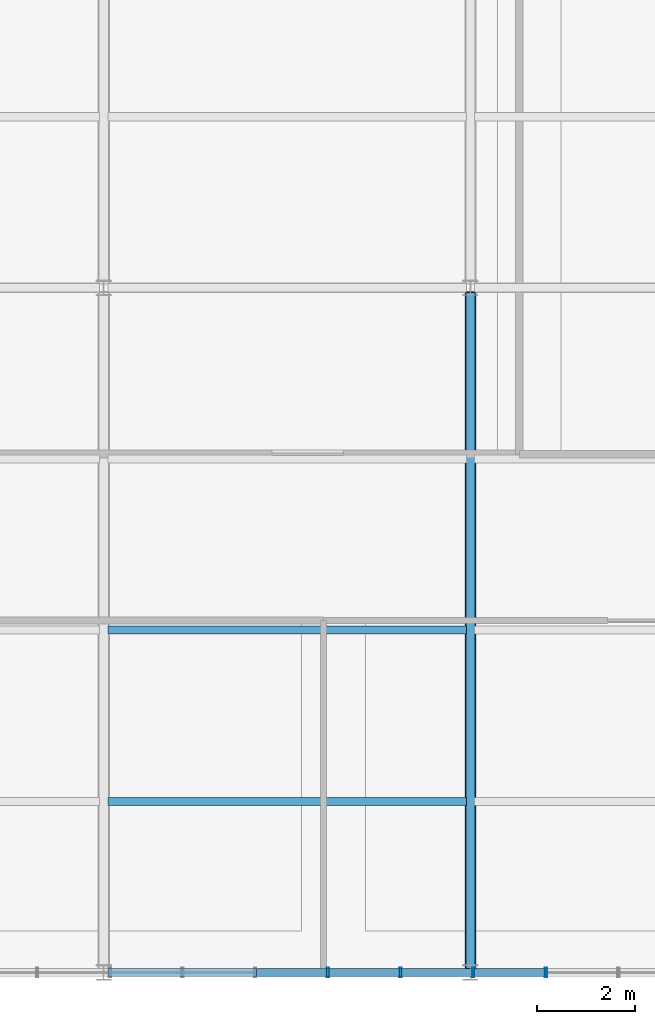
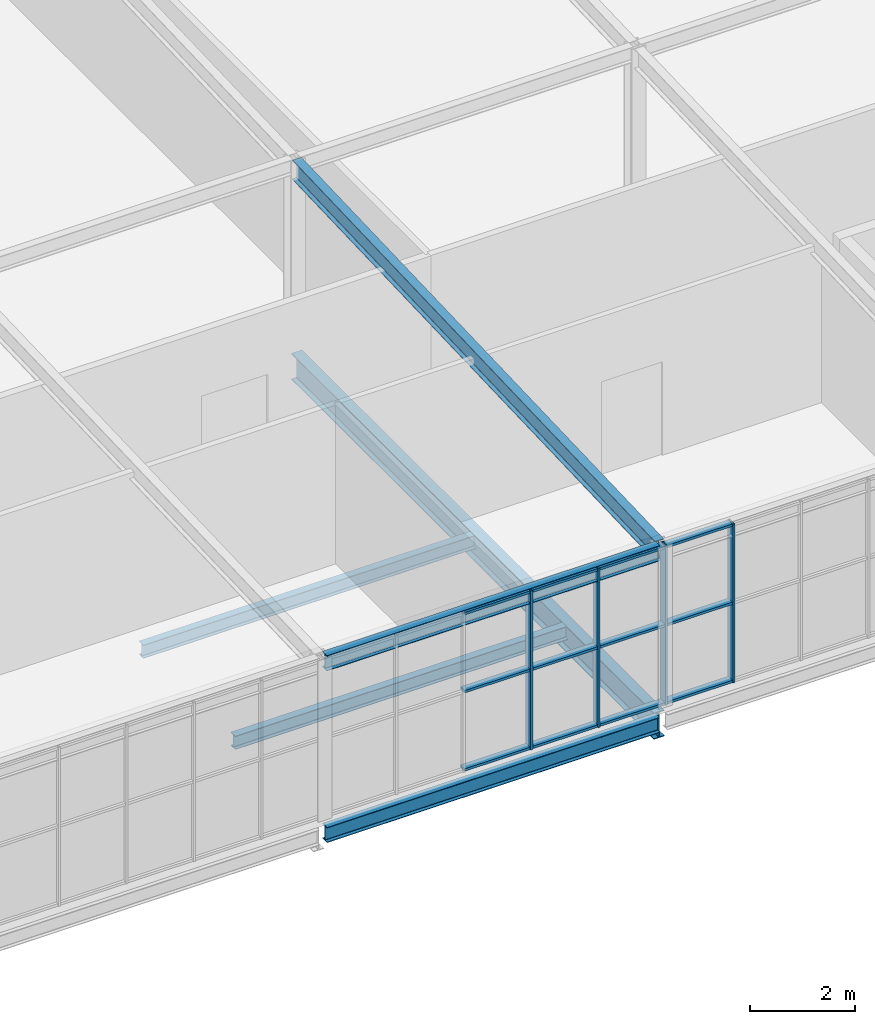
# One storey, part 7 of 27: 16 members, 6 beams, 1 element without a shape of its own.
"""IFC4 building model written with IfcOpenShell, lengths in metres."""

import ifcopenshell
import ifcopenshell.guid

model = None  # the IFC model being written
_history = None  # IfcOwnerHistory: only IFC2X3 demands one
_inside = {}  # id of a spatial element -> (the spatial element, [elements in it])
_under = {}  # id of a project, library or spatial element -> (it, [spatial elements below it])
_declared = {}  # id of a project -> (the project, [libraries it declares])
_typed = {}  # id of a type object -> (the type object, [elements of that type])
_made_of = {}  # id of a material, layer set ... -> (it, [elements and type objects made of it])


def new_model(schema):
    """Start an empty IFC model of exactly this schema.

    Asked for "IFC4X3", IfcOpenShell would pick the latest addendum, in which some entities
    have other attributes; the version numbers below select the first issue.
    IFC2X3 requires an IfcOwnerHistory on every rooted entity: one is made here for all.
    """
    global model, _history
    if schema == "IFC4X3":
        model = ifcopenshell.file(schema_version=(4, 3, 0, 0))
    else:
        model = ifcopenshell.file(schema=schema)
    _inside.clear()
    _under.clear()
    _declared.clear()
    _typed.clear()
    _made_of.clear()
    _history = None
    if model.schema == "IFC2X3":
        org = make("IfcOrganization", Name="unknown")
        user = make(
            "IfcPersonAndOrganization",
            ThePerson=make("IfcPerson", FamilyName="unknown"),
            TheOrganization=org,
        )
        app = make(
            "IfcApplication",
            ApplicationDeveloper=org,
            Version="unknown",
            ApplicationFullName="unknown",
            ApplicationIdentifier="unknown",
        )
        _history = make(
            "IfcOwnerHistory",
            OwningUser=user,
            OwningApplication=app,
            ChangeAction="ADDED",
            CreationDate=0,
        )
    return model


def make(cls, **values):
    """One entity of the class cls with the attributes given. An attribute that is None is left unset."""
    return model.create_entity(
        cls, **{name: value for name, value in values.items() if value is not None}
    )


def rooted(cls, **values):
    """An entity with a GlobalId (a new one), such as an element, a storey or a relation."""
    return make(cls, GlobalId=ifcopenshell.guid.new(), OwnerHistory=_history, **values)


def si_unit(unit_type, name, prefix=None):
    """IfcSIUnit, for example si_unit("LENGTHUNIT", "METRE", prefix="MILLI")."""
    return make("IfcSIUnit", UnitType=unit_type, Prefix=prefix, Name=name)


def assignment(units):
    """IfcUnitAssignment: the units of a project."""
    return None if units is None else make("IfcUnitAssignment", Units=units)


def point(xyz):
    """IfcCartesianPoint."""
    return None if xyz is None else make("IfcCartesianPoint", Coordinates=xyz)


def direction(xyz):
    """IfcDirection."""
    return None if xyz is None else make("IfcDirection", DirectionRatios=xyz)


def frame(location, z_axis=None, x_axis=None):
    """IfcAxis2Placement3D, a coordinate frame: its origin and axes. An axis left out is left unset."""
    return make(
        "IfcAxis2Placement3D",
        Location=point(location),
        Axis=direction(z_axis),
        RefDirection=direction(x_axis),
    )


def frame_2d(location, x_axis=None):
    """IfcAxis2Placement2D, a coordinate frame in the plane: its origin and x axis."""
    return make(
        "IfcAxis2Placement2D", Location=point(location), RefDirection=direction(x_axis)
    )


def origin():
    """The frame at (0, 0, 0) with its axes left unset."""
    return frame((0.0, 0.0, 0.0))


def origin_2d():
    """The frame at (0, 0) in the plane with its x axis left unset."""
    return frame_2d((0.0, 0.0))


def place(relative_to, where):
    """IfcLocalPlacement: puts the frame where relative to a parent placement (None: the world)."""
    return make(
        "IfcLocalPlacement", PlacementRelTo=relative_to, RelativePlacement=where
    )


def context(
    kind, dimensions, precision=None, world=None, true_north=None, identifier=None
):
    """IfcGeometricRepresentationContext, for example the 3D "Model" context."""
    return make(
        "IfcGeometricRepresentationContext",
        ContextIdentifier=identifier,
        ContextType=kind,
        CoordinateSpaceDimension=dimensions,
        Precision=precision,
        WorldCoordinateSystem=world,
        TrueNorth=true_north,
    )


def subcontext(parent, identifier, kind, view, scale=None):
    """IfcGeometricRepresentationSubContext, for example "Body" below "Model"."""
    return make(
        "IfcGeometricRepresentationSubContext",
        ContextIdentifier=identifier,
        ContextType=kind,
        ParentContext=parent,
        TargetScale=scale,
        TargetView=view,
    )


def project(units=None, contexts=None):
    """IfcProject with its units and contexts."""
    return rooted(
        "IfcProject",
        Name="project",
        RepresentationContexts=contexts,
        UnitsInContext=assignment(units),
    )


def spatial(cls, under=None, at=None, **own):
    """A site, building, storey or space (cls), placed at a placement, below another one or the project."""
    s = rooted(cls, ObjectPlacement=at, **own)
    if under is not None:
        _under.setdefault(under.id(), (under, []))[1].append(s)
    return s


def profile(cls, at=None, kind="AREA", **sizes):
    """A parametric profile (cls). Its sizes go by their IFC names, for example OverallWidth=200.0."""
    return make(cls, ProfileType=kind, Position=at, **sizes)


def hollow_rectangle(**sizes):
    """IfcRectangleHollowProfileDef."""
    return profile("IfcRectangleHollowProfileDef", **sizes)


def i_section(**sizes):
    """IfcIShapeProfileDef."""
    return profile("IfcIShapeProfileDef", **sizes)


def extrude(swept, where, along, depth):
    """IfcExtrudedAreaSolid: the profile swept, set in the frame where, extruded along a direction by depth."""
    return make(
        "IfcExtrudedAreaSolid",
        SweptArea=swept,
        Position=where,
        ExtrudedDirection=direction(along),
        Depth=depth,
    )


def shape(context_of_items, identifier, shape_type, items):
    """IfcShapeRepresentation: the items that make up one representation, for example the "Body"."""
    return make(
        "IfcShapeRepresentation",
        ContextOfItems=context_of_items,
        RepresentationIdentifier=identifier,
        RepresentationType=shape_type,
        Items=items,
    )


def material(Name=None, Category=None):
    """IfcMaterial."""
    return make("IfcMaterial", Name=Name, Category=Category)


def layer(
    of_material, thickness, ventilated=None, Name=None, Category=None, Priority=None
):
    """IfcMaterialLayer: one layer of a wall or slab, of a material (None: an air gap)."""
    return make(
        "IfcMaterialLayer",
        Material=of_material,
        LayerThickness=thickness,
        IsVentilated=ventilated,
        Name=Name,
        Category=Category,
        Priority=Priority,
    )


def layer_set(layers, Name=None):
    """IfcMaterialLayerSet."""
    return make("IfcMaterialLayerSet", MaterialLayers=layers, LayerSetName=Name)


def material_profile(
    of_material, cross_section, Name=None, Category=None, Priority=None
):
    """IfcMaterialProfile: a cross section and its material."""
    return make(
        "IfcMaterialProfile",
        Name=Name,
        Material=of_material,
        Profile=cross_section,
        Priority=Priority,
        Category=Category,
    )


def profile_set(profiles, Name=None, composite=None):
    """IfcMaterialProfileSet."""
    return make(
        "IfcMaterialProfileSet",
        Name=Name,
        MaterialProfiles=profiles,
        CompositeProfile=composite,
    )


def made_of(thing, what):
    """Note that an element or type object is made of a material, layer set ...; save() writes the relation."""
    if what is not None:
        _made_of.setdefault(what.id(), (what, []))[1].append(thing)
    return thing


def type_object(cls, material=None, **own):
    """A type object (cls), such as IfcWallType, which elements share."""
    return made_of(rooted(cls, **own), material)


def element(
    cls,
    number,
    at=None,
    inside=None,
    cuts=None,
    type_object=None,
    material=None,
    context=None,
    identifier="Body",
    shape_type=None,
    held_by="IfcProductDefinitionShape",
    body=None,
    shapes=None,
    **own,
):
    """One element of the class cls, such as IfcWall. Its Tag is "e" and its number.

    at: its placement. inside: the storey or other place that contains it. cuts: it is an
    opening in that element (IfcRelVoidsElement). A single representation is given by context,
    identifier, shape_type and body (its items); several are given by shapes. held_by: the class
    of the entity that holds the representations. save() writes the other relations.
    """
    e = rooted(cls, Tag="e%d" % number, ObjectPlacement=at, **own)
    if body is not None:
        shapes = [shape(context, identifier, shape_type, body)]
    if shapes is not None:
        e.Representation = make(held_by, Representations=shapes)
    if inside is not None:
        _inside.setdefault(inside.id(), (inside, []))[1].append(e)
    if cuts is not None:
        rooted(
            "IfcRelVoidsElement", RelatingBuildingElement=cuts, RelatedOpeningElement=e
        )
    if type_object is not None:
        _typed.setdefault(type_object.id(), (type_object, []))[1].append(e)
    return made_of(e, material)


def aggregate(whole, parts):
    """IfcRelAggregates: a whole, such as a stair, and the parts it consists of."""
    return rooted("IfcRelAggregates", RelatingObject=whole, RelatedObjects=parts)


def save(model, path):
    """Write the relations noted so far, then the file.

    IfcRelAggregates (storeys below a building ...), IfcRelContainedInSpatialStructure (elements
    in a storey), IfcRelDefinesByType, IfcRelAssociatesMaterial and IfcRelDeclares: one each for
    every whole, place, type object, material and project.
    """
    for whole, parts in _under.values():
        aggregate(whole, parts)
    for where, things in _inside.values():
        rooted(
            "IfcRelContainedInSpatialStructure",
            RelatedElements=things,
            RelatingStructure=where,
        )
    for kind, things in _typed.values():
        rooted("IfcRelDefinesByType", RelatedObjects=things, RelatingType=kind)
    for what, things in _made_of.values():
        rooted("IfcRelAssociatesMaterial", RelatedObjects=things, RelatingMaterial=what)
    for by, libraries in _declared.values():
        rooted("IfcRelDeclares", RelatingContext=by, RelatedDefinitions=libraries)
    model.write(path)


model = new_model("IFC4")

# Units and contexts
model_context = context("Model", 3, precision=1e-05, world=origin(), true_north=direction((0.0, 1.0)))
body_context = subcontext(model_context, "Body", "Model", "MODEL_VIEW")
ifc_project = project(units=[si_unit("LENGTHUNIT", "METRE"), si_unit("AREAUNIT", "SQUARE_METRE"), si_unit("VOLUMEUNIT", "CUBIC_METRE"), si_unit("PLANEANGLEUNIT", "RADIAN"), si_unit("MASSUNIT", "GRAM", prefix="KILO")], contexts=[model_context])

# Site, building, storey
site_placement = place(None, origin())
site = spatial("IfcSite", under=ifc_project, at=site_placement, CompositionType="ELEMENT")
building_placement = place(site_placement, origin())
building = spatial("IfcBuilding", under=site, at=building_placement, Name="Solvenia Promenade Tram Depot", CompositionType="ELEMENT")
storey_placement = place(building_placement, frame((0.0, 0.0, 13.5)))
storey = spatial("IfcBuildingStorey", under=building, at=storey_placement, Name="L03", CompositionType="ELEMENT", Elevation=13.5)

# Beam
ifc_material_1 = material(Name="Structural steel ASTM A992 Gr. 50", Category="steel")
ifc_material_profile_1 = material_profile(ifc_material_1, i_section(OverallWidth=0.19091796875, OverallDepth=0.4599609375, WebThickness=0.010009765625, FlangeThickness=0.01611328125, FilletRadius=0.012939453125, at=origin_2d()), Name="W460x82", Category="steel")
ifc_profile_set_1 = profile_set([ifc_material_profile_1], Name="Structural steel ASTM A992 Gr. 50")
beam_type_1 = type_object("IfcBeamType", Name="Beam-W460x82", PredefinedType="BEAM", material=ifc_profile_set_1)
beam_1_placement = place(storey_placement, frame((135.0, 38.0849609375, 3.530029296875), z_axis=(0.0, 0.999347117137, 0.036129481992), x_axis=(-1.0, 0.0, 0.0)))
element("IfcBeam", 1, at=beam_1_placement, inside=storey, type_object=beam_type_1, Name="Control Hub Sloped Rafter BM-L03-0883", PredefinedType="BEAM", context=body_context, shape_type="SweptSolid", body=[
    extrude(i_section(OverallWidth=0.19091796875, OverallDepth=0.4599609375, WebThickness=0.010009765625, FlangeThickness=0.01611328125, FilletRadius=0.012939453125, at=origin_2d()), origin(), (0.0, 0.0, 1.0), 13.839111328125),
])

# Curtain wall, members
ifc_material_2 = material(Name="Anodized aluminium AW-6063 T6", Category="aluminium")
ifc_layer = layer(ifc_material_2, 0.199951171875, Name="Anodized aluminium AW-6063 T6", Category="aluminium")
ifc_layer_set = layer_set([ifc_layer], Name="Anodized aluminium AW-6063 T6")
curtain_wall_type = type_object("IfcCurtainWallType", Name="CW-OCC-1500", PredefinedType="NOTDEFINED", material=ifc_layer_set)
curtain_wall_placement = place(storey_placement, origin())
curtain_wall = element("IfcCurtainWall", 2, at=curtain_wall_placement, inside=storey, type_object=curtain_wall_type, Name="Curtain Wall CW-L03-V2S", PredefinedType="NOTDEFINED")
ifc_material_profile_2 = material_profile(ifc_material_2, hollow_rectangle(XDim=0.199951171875, YDim=0.048095703125, WallThickness=0.00390625, at=origin_2d()), Name="ALU-M3", Category="aluminium")
ifc_profile_set_2 = profile_set([ifc_material_profile_2], Name="Anodized aluminium AW-6063 T6")
member_type_1 = type_object("IfcMemberType", Name="CWM-Mullion-3", PredefinedType="MULLION", material=ifc_profile_set_2)
member_1_placement = place(storey_placement, frame((132.085693359375, 38.0, 0.0), z_axis=(0.0, 0.0, 1.0), x_axis=(0.0, 1.0, 0.0)))
member_1 = element("IfcMember", 3, at=member_1_placement, type_object=member_type_1, Name="CW-8 mullion 9", PredefinedType="MULLION", context=body_context, shape_type="SweptSolid", body=[
    extrude(hollow_rectangle(XDim=0.199951171875, YDim=0.048095703125, WallThickness=0.00390625, at=origin_2d()), origin(), (0.0, 0.0, 1.0), 3.699951171875),
])
member_2_placement = place(storey_placement, frame((133.571533203125, 38.0, 0.0), z_axis=(0.0, 0.0, 1.0), x_axis=(0.0, 1.0, 0.0)))
member_2 = element("IfcMember", 4, at=member_2_placement, type_object=member_type_1, Name="CW-8 mullion 10", PredefinedType="MULLION", context=body_context, shape_type="SweptSolid", body=[
    extrude(hollow_rectangle(XDim=0.199951171875, YDim=0.048095703125, WallThickness=0.00390625, at=origin_2d()), origin(), (0.0, 0.0, 1.0), 3.699951171875),
])
member_3_placement = place(storey_placement, frame((135.05712890625, 38.0, 0.0), z_axis=(0.0, 0.0, 1.0), x_axis=(0.0, 1.0, 0.0)))
member_3 = element("IfcMember", 5, at=member_3_placement, type_object=member_type_1, Name="CW-8 mullion 11", PredefinedType="MULLION", context=body_context, shape_type="SweptSolid", body=[
    extrude(hollow_rectangle(XDim=0.199951171875, YDim=0.048095703125, WallThickness=0.00390625, at=origin_2d()), origin(), (0.0, 0.0, 1.0), 3.699951171875),
])
member_4_placement = place(storey_placement, frame((136.54296875, 38.0, 0.0), z_axis=(0.0, 0.0, 1.0), x_axis=(0.0, 1.0, 0.0)))
member_4 = element("IfcMember", 6, at=member_4_placement, type_object=member_type_1, Name="CW-8 mullion 12", PredefinedType="MULLION", context=body_context, shape_type="SweptSolid", body=[
    extrude(hollow_rectangle(XDim=0.199951171875, YDim=0.048095703125, WallThickness=0.00390625, at=origin_2d()), origin(), (0.0, 0.0, 1.0), 3.699951171875),
])
ifc_material_profile_3 = material_profile(ifc_material_2, hollow_rectangle(XDim=0.159912109375, YDim=0.05810546875, WallThickness=0.00390625, at=origin_2d()), Name="ALU-T3", Category="aluminium")
ifc_profile_set_3 = profile_set([ifc_material_profile_3], Name="Anodized aluminium AW-6063 T6")
member_type_2 = type_object("IfcMemberType", Name="CWT-Transom-3", PredefinedType="USERDEFINED", material=ifc_profile_set_3)
member_5_placement = place(storey_placement, frame((130.6240234375, 38.0, 0.029052734375), z_axis=(1.0, 0.0, 0.0), x_axis=(0.0, 1.0, 0.0)))
member_5 = element("IfcMember", 7, at=member_5_placement, type_object=member_type_2, Name="CW-8 transom 8.1", ObjectType="TRANSOM", PredefinedType="USERDEFINED", context=body_context, shape_type="SweptSolid", body=[
    extrude(hollow_rectangle(XDim=0.159912109375, YDim=0.05810546875, WallThickness=0.00390625, at=origin_2d()), origin(), (0.0, 0.0, 1.0), 1.437744140625),
])
member_6_placement = place(storey_placement, frame((130.6240234375, 38.0, 1.85009765625), z_axis=(1.0, 0.0, 0.0), x_axis=(0.0, 1.0, 0.0)))
member_6 = element("IfcMember", 8, at=member_6_placement, type_object=member_type_2, Name="CW-8 transom 8.2", ObjectType="TRANSOM", PredefinedType="USERDEFINED", context=body_context, shape_type="SweptSolid", body=[
    extrude(hollow_rectangle(XDim=0.159912109375, YDim=0.05810546875, WallThickness=0.00390625, at=origin_2d()), origin(), (0.0, 0.0, 1.0), 1.437744140625),
])
member_7_placement = place(storey_placement, frame((130.6240234375, 38.0, 3.6708984375), z_axis=(1.0, 0.0, 0.0), x_axis=(0.0, 1.0, 0.0)))
member_7 = element("IfcMember", 9, at=member_7_placement, type_object=member_type_2, Name="CW-8 transom 8.3", ObjectType="TRANSOM", PredefinedType="USERDEFINED", context=body_context, shape_type="SweptSolid", body=[
    extrude(hollow_rectangle(XDim=0.159912109375, YDim=0.05810546875, WallThickness=0.00390625, at=origin_2d()), origin(), (0.0, 0.0, 1.0), 1.437744140625),
])
member_8_placement = place(storey_placement, frame((132.109619140625, 38.0, 0.029052734375), z_axis=(1.0, 0.0, 0.0), x_axis=(0.0, 1.0, 0.0)))
member_8 = element("IfcMember", 10, at=member_8_placement, type_object=member_type_2, Name="CW-8 transom 9.1", ObjectType="TRANSOM", PredefinedType="USERDEFINED", context=body_context, shape_type="SweptSolid", body=[
    extrude(hollow_rectangle(XDim=0.159912109375, YDim=0.05810546875, WallThickness=0.00390625, at=origin_2d()), origin(), (0.0, 0.0, 1.0), 1.437744140625),
])
member_9_placement = place(storey_placement, frame((132.109619140625, 38.0, 1.85009765625), z_axis=(1.0, 0.0, 0.0), x_axis=(0.0, 1.0, 0.0)))
member_9 = element("IfcMember", 11, at=member_9_placement, type_object=member_type_2, Name="CW-8 transom 9.2", ObjectType="TRANSOM", PredefinedType="USERDEFINED", context=body_context, shape_type="SweptSolid", body=[
    extrude(hollow_rectangle(XDim=0.159912109375, YDim=0.05810546875, WallThickness=0.00390625, at=origin_2d()), origin(), (0.0, 0.0, 1.0), 1.437744140625),
])
member_10_placement = place(storey_placement, frame((132.109619140625, 38.0, 3.6708984375), z_axis=(1.0, 0.0, 0.0), x_axis=(0.0, 1.0, 0.0)))
member_10 = element("IfcMember", 12, at=member_10_placement, type_object=member_type_2, Name="CW-8 transom 9.3", ObjectType="TRANSOM", PredefinedType="USERDEFINED", context=body_context, shape_type="SweptSolid", body=[
    extrude(hollow_rectangle(XDim=0.159912109375, YDim=0.05810546875, WallThickness=0.00390625, at=origin_2d()), origin(), (0.0, 0.0, 1.0), 1.437744140625),
])
member_11_placement = place(storey_placement, frame((133.595458984375, 38.0, 0.029052734375), z_axis=(1.0, 0.0, 0.0), x_axis=(0.0, 1.0, 0.0)))
member_11 = element("IfcMember", 13, at=member_11_placement, type_object=member_type_2, Name="CW-8 transom 10.1", ObjectType="TRANSOM", PredefinedType="USERDEFINED", context=body_context, shape_type="SweptSolid", body=[
    extrude(hollow_rectangle(XDim=0.159912109375, YDim=0.05810546875, WallThickness=0.00390625, at=origin_2d()), origin(), (0.0, 0.0, 1.0), 1.437744140625),
])
member_12_placement = place(storey_placement, frame((133.595458984375, 38.0, 1.85009765625), z_axis=(1.0, 0.0, 0.0), x_axis=(0.0, 1.0, 0.0)))
member_12 = element("IfcMember", 14, at=member_12_placement, type_object=member_type_2, Name="CW-8 transom 10.2", ObjectType="TRANSOM", PredefinedType="USERDEFINED", context=body_context, shape_type="SweptSolid", body=[
    extrude(hollow_rectangle(XDim=0.159912109375, YDim=0.05810546875, WallThickness=0.00390625, at=origin_2d()), origin(), (0.0, 0.0, 1.0), 1.437744140625),
])
member_13_placement = place(storey_placement, frame((133.595458984375, 38.0, 3.6708984375), z_axis=(1.0, 0.0, 0.0), x_axis=(0.0, 1.0, 0.0)))
member_13 = element("IfcMember", 15, at=member_13_placement, type_object=member_type_2, Name="CW-8 transom 10.3", ObjectType="TRANSOM", PredefinedType="USERDEFINED", context=body_context, shape_type="SweptSolid", body=[
    extrude(hollow_rectangle(XDim=0.159912109375, YDim=0.05810546875, WallThickness=0.00390625, at=origin_2d()), origin(), (0.0, 0.0, 1.0), 1.437744140625),
])
member_14_placement = place(storey_placement, frame((135.0810546875, 38.0, 0.029052734375), z_axis=(1.0, 0.0, 0.0), x_axis=(0.0, 1.0, 0.0)))
member_14 = element("IfcMember", 16, at=member_14_placement, type_object=member_type_2, Name="CW-8 transom 11.1", ObjectType="TRANSOM", PredefinedType="USERDEFINED", context=body_context, shape_type="SweptSolid", body=[
    extrude(hollow_rectangle(XDim=0.159912109375, YDim=0.05810546875, WallThickness=0.00390625, at=origin_2d()), origin(), (0.0, 0.0, 1.0), 1.437744140625),
])
member_15_placement = place(storey_placement, frame((135.0810546875, 38.0, 1.85009765625), z_axis=(1.0, 0.0, 0.0), x_axis=(0.0, 1.0, 0.0)))
member_15 = element("IfcMember", 17, at=member_15_placement, type_object=member_type_2, Name="CW-8 transom 11.2", ObjectType="TRANSOM", PredefinedType="USERDEFINED", context=body_context, shape_type="SweptSolid", body=[
    extrude(hollow_rectangle(XDim=0.159912109375, YDim=0.05810546875, WallThickness=0.00390625, at=origin_2d()), origin(), (0.0, 0.0, 1.0), 1.437744140625),
])
member_16_placement = place(storey_placement, frame((135.0810546875, 38.0, 3.6708984375), z_axis=(1.0, 0.0, 0.0), x_axis=(0.0, 1.0, 0.0)))
member_16 = element("IfcMember", 18, at=member_16_placement, type_object=member_type_2, Name="CW-8 transom 11.3", ObjectType="TRANSOM", PredefinedType="USERDEFINED", context=body_context, shape_type="SweptSolid", body=[
    extrude(hollow_rectangle(XDim=0.159912109375, YDim=0.05810546875, WallThickness=0.00390625, at=origin_2d()), origin(), (0.0, 0.0, 1.0), 1.437744140625),
])
aggregate(curtain_wall, [member_1, member_2, member_3, member_4, member_5, member_6, member_7, member_8, member_9, member_10, member_11, member_12, member_13, member_14, member_15, member_16])

# Beams
ifc_material_profile_4 = material_profile(ifc_material_1, i_section(OverallWidth=0.22900390625, OverallDepth=0.612060546875, WebThickness=0.011962890625, FlangeThickness=0.01953125, FilletRadius=0.014892578125, at=origin_2d()), Name="W610x125", Category="steel")
ifc_profile_set_4 = profile_set([ifc_material_profile_4], Name="Structural steel ASTM A992 Gr. 50")
beam_type_2 = type_object("IfcBeamType", Name="Gird-W610x125", PredefinedType="BEAM", material=ifc_profile_set_4)
beam_2_placement = place(storey_placement, frame((135.0, 38.0849609375, -0.5458984375), z_axis=(0.0, 1.0, 0.0), x_axis=(-1.0, 0.0, 0.0)))
element("IfcBeam", 19, at=beam_2_placement, inside=storey, type_object=beam_type_2, Name="Transverse Girder BM-L03-0614", PredefinedType="BEAM", context=body_context, shape_type="SweptSolid", body=[
    extrude(i_section(OverallWidth=0.22900390625, OverallDepth=0.612060546875, WebThickness=0.011962890625, FlangeThickness=0.01953125, FilletRadius=0.014892578125, at=origin_2d()), origin(), (0.0, 0.0, 1.0), 13.830078125),
])
ifc_material_profile_5 = material_profile(ifc_material_1, i_section(OverallWidth=0.166015625, OverallDepth=0.31298828125, WebThickness=0.006591796875, FlangeThickness=0.01123046875, FilletRadius=0.010009765625, at=origin_2d()), Name="W310x45", Category="steel")
ifc_profile_set_5 = profile_set([ifc_material_profile_5], Name="Structural steel ASTM A992 Gr. 50")
beam_type_3 = type_object("IfcBeamType", Name="Joist-W310x45", PredefinedType="JOIST", material=ifc_profile_set_5)
for number, where, z_axis, x_axis, name in (
    (20, (127.5849609375, 41.5, -0.396484375), (1.0, 0.0, 0.0), (0.0, 1.0, 0.0), "Secondary Floor Joist BM-L03-0628"),
    (21, (127.5849609375, 45.0, -0.396484375), (1.0, 0.0, 0.0), (0.0, 1.0, 0.0), "Secondary Floor Joist BM-L03-0629"),
):
    element("IfcBeam", number, at=place(storey_placement, frame(where, z_axis=z_axis, x_axis=x_axis)), inside=storey, type_object=beam_type_3, Name=name, PredefinedType="JOIST", context=body_context, shape_type="SweptSolid", body=[
        extrude(i_section(OverallWidth=0.166015625, OverallDepth=0.31298828125, WebThickness=0.006591796875, FlangeThickness=0.01123046875, FilletRadius=0.010009765625, at=origin_2d()), origin(), (0.0, 0.0, 1.0), 7.330078125),
    ])
ifc_material_profile_6 = material_profile(ifc_material_1, i_section(OverallWidth=0.172119140625, OverallDepth=0.35791015625, WebThickness=0.0078125, FlangeThickness=0.01318359375, FilletRadius=0.010986328125, at=origin_2d()), Name="W360x57", Category="steel")
ifc_profile_set_6 = profile_set([ifc_material_profile_6], Name="Structural steel ASTM A992 Gr. 50")
beam_type_4 = type_object("IfcBeamType", Name="Spandrel-W360x57", PredefinedType="SPANDREL", material=ifc_profile_set_6)
for number, where, z_axis, x_axis, name in (
    (22, (127.5849609375, 38.0, -0.4189453125), (1.0, 0.0, 0.0), (0.0, 1.0, 0.0), "Perimeter Spandrel BM-L03-0596"),
    (23, (127.5849609375, 38.0, 3.5810546875), (1.0, 0.0, 0.0), (0.0, 1.0, 0.0), "Control Hub Roof Girder BM-L03-0894"),
):
    element("IfcBeam", number, at=place(storey_placement, frame(where, z_axis=z_axis, x_axis=x_axis)), inside=storey, type_object=beam_type_4, Name=name, PredefinedType="SPANDREL", context=body_context, shape_type="SweptSolid", body=[
        extrude(i_section(OverallWidth=0.172119140625, OverallDepth=0.35791015625, WebThickness=0.0078125, FlangeThickness=0.01318359375, FilletRadius=0.010986328125, at=origin_2d()), origin(), (0.0, 0.0, 1.0), 7.330078125),
    ])

save(model, "model.ifc")
